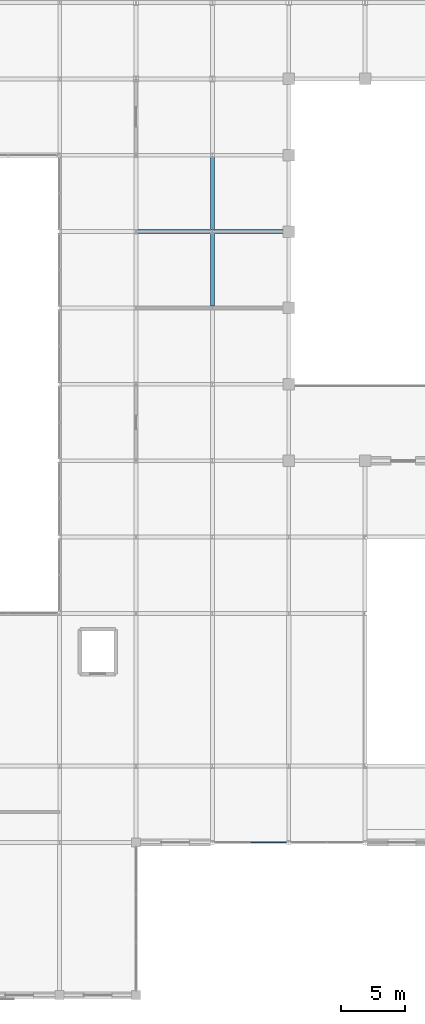
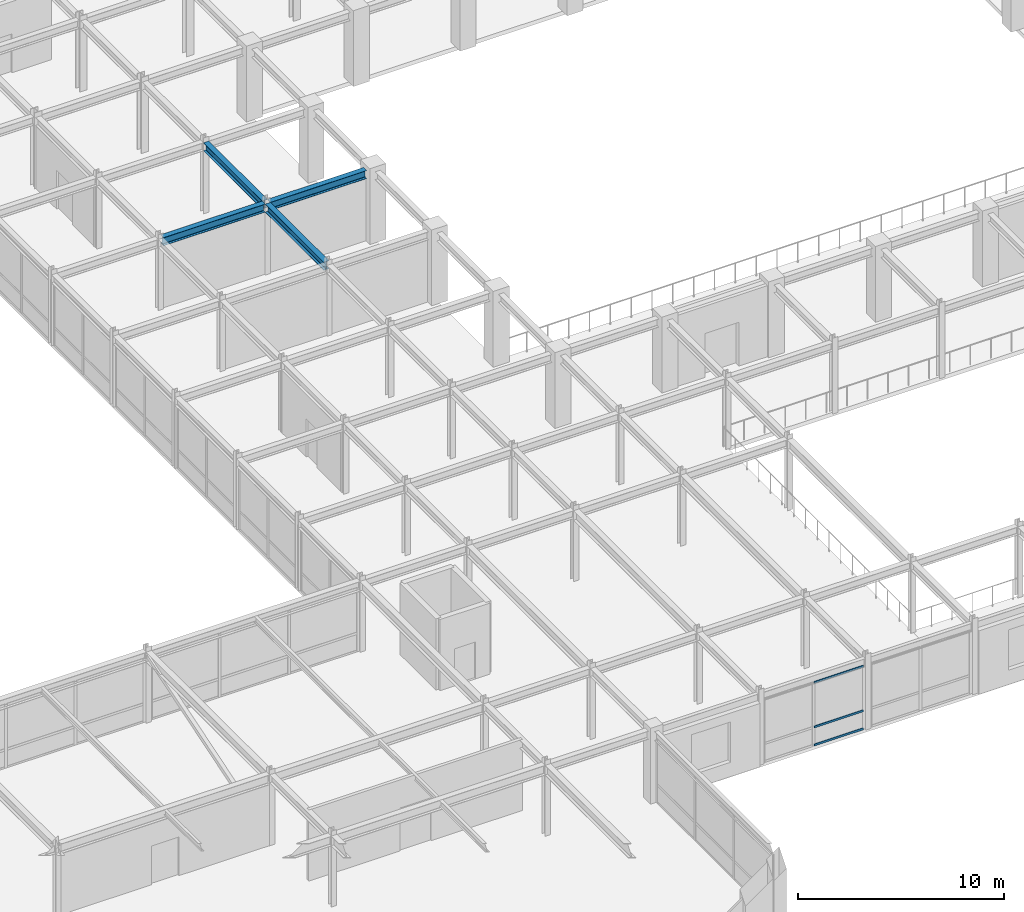
# One storey, part 51 of 108: 4 beams, 3 members, 1 element without a shape of its own.
"""IFC4 building model written with IfcOpenShell, lengths in metres."""

from ifc_helpers import new_model, si_unit, direction, frame, origin, origin_2d, place, context, subcontext, project, spatial, hollow_rectangle, i_section, extrude, material, layer, layer_set, material_profile, profile_set, type_object, element, aggregate, save


model = new_model("IFC4")

# Units and contexts
model_context = context("Model", 3, precision=1e-05, world=origin(), true_north=direction((0.0, 1.0)))
body_context = subcontext(model_context, "Body", "Model", "MODEL_VIEW")
ifc_project = project(units=[si_unit("LENGTHUNIT", "METRE"), si_unit("AREAUNIT", "SQUARE_METRE"), si_unit("VOLUMEUNIT", "CUBIC_METRE"), si_unit("PLANEANGLEUNIT", "RADIAN"), si_unit("MASSUNIT", "GRAM", prefix="KILO")], contexts=[model_context])

# Site, building, storey
site_placement = place(None, origin())
site = spatial("IfcSite", under=ifc_project, at=site_placement, CompositionType="ELEMENT")
building_placement = place(site_placement, origin())
building = spatial("IfcBuilding", under=site, at=building_placement, Name="Zlatovratsky Civic Hall", CompositionType="ELEMENT")
storey_placement = place(building_placement, frame((0.0, 0.0, 12.0)))
storey = spatial("IfcBuildingStorey", under=building, at=storey_placement, Name="L03", CompositionType="ELEMENT", Elevation=12.0)

# Beams
ifc_material_1 = material(Name="Steel S355", Category="steel")
ifc_material_profile_1 = material_profile(ifc_material_1, i_section(OverallWidth=0.300048828125, OverallDepth=0.48193359375, WebThickness=0.010986328125, FlangeThickness=0.014892578125, FilletRadius=0.02392578125, at=origin_2d()), Name="50Sh1")
ifc_profile_set_1 = profile_set([ifc_material_profile_1], Name="Steel S355")
beam_type = type_object("IfcBeamType", Name="Beam_LibraryGirder_50Sh1", PredefinedType="BEAM", material=ifc_profile_set_1)
beam_1_placement = place(storey_placement, frame((54.1494140625, 60.0, 3.97900390625), z_axis=(1.0, 0.0, 0.0), x_axis=(0.0, 1.0, 0.0)))
element("IfcBeam", 1, at=beam_1_placement, inside=storey, type_object=beam_type, Name="BM-2598", PredefinedType="BEAM", context=body_context, shape_type="SweptSolid", body=[
    extrude(i_section(OverallWidth=0.300048828125, OverallDepth=0.48193359375, WebThickness=0.010986328125, FlangeThickness=0.014892578125, FilletRadius=0.02392578125, at=origin_2d()), origin(), (0.0, 0.0, 1.0), 5.701171875),
])
beam_2_placement = place(storey_placement, frame((60.1494140625, 60.0, 3.97900390625), z_axis=(1.0, 0.0, 0.0), x_axis=(0.0, 1.0, 0.0)))
element("IfcBeam", 2, at=beam_2_placement, inside=storey, type_object=beam_type, Name="BM-2599", PredefinedType="BEAM", context=body_context, shape_type="SweptSolid", body=[
    extrude(i_section(OverallWidth=0.300048828125, OverallDepth=0.48193359375, WebThickness=0.010986328125, FlangeThickness=0.014892578125, FilletRadius=0.02392578125, at=origin_2d()), origin(), (0.0, 0.0, 1.0), 5.400634765625),
])
for number, where, z_axis, x_axis, name in (
    (3, (60.0, 54.14794921875, 3.97900390625), (0.0, 1.0, 0.0), (-1.0, 0.0, 0.0), "BM-2906"),
    (4, (60.0, 60.14794921875, 3.97900390625), (0.0, 1.0, 0.0), (-1.0, 0.0, 0.0), "BM-2907"),
):
    element("IfcBeam", number, at=place(storey_placement, frame(where, z_axis=z_axis, x_axis=x_axis)), inside=storey, type_object=beam_type, Name=name, PredefinedType="BEAM", context=body_context, shape_type="SweptSolid", body=[
        extrude(i_section(OverallWidth=0.300048828125, OverallDepth=0.48193359375, WebThickness=0.010986328125, FlangeThickness=0.014892578125, FilletRadius=0.02392578125, at=origin_2d()), origin(), (0.0, 0.0, 1.0), 5.7041015625),
    ])

# Curtain wall, members
ifc_material_2 = material(Name="Anodised bronze aluminium", Category="aluminium")
ifc_layer = layer(ifc_material_2, 0.159912109375)
ifc_layer_set = layer_set([ifc_layer], Name="Anodised bronze aluminium")
curtain_wall_type = type_object("IfcCurtainWallType", Name="CurtainWall_Bronze_5700x3770_08", PredefinedType="NOTDEFINED", material=ifc_layer_set)
curtain_wall_placement = place(storey_placement, origin())
curtain_wall = element("IfcCurtainWall", 5, at=curtain_wall_placement, inside=storey, type_object=curtain_wall_type, Name="CW-047", PredefinedType="NOTDEFINED")
ifc_material_profile_2 = material_profile(ifc_material_2, hollow_rectangle(XDim=0.06005859375, YDim=0.1201171875, WallThickness=0.00390625, at=origin_2d()), Name="ALU 60x120x4")
ifc_profile_set_2 = profile_set([ifc_material_profile_2], Name="Anodised bronze aluminium")
member_type = type_object("IfcMemberType", Name="CW_Transom_60x120", PredefinedType="USERDEFINED", material=ifc_profile_set_2)
member_1_placement = place(storey_placement, frame((63.030029296875, 12.0, 0.030029296875), z_axis=(1.0, 0.0, 0.0), x_axis=(0.0, 1.0, 0.0)))
member_1 = element("IfcMember", 6, at=member_1_placement, type_object=member_type, Name="CW-08 transom 2.1", ObjectType="TRANSOM", PredefinedType="USERDEFINED", context=body_context, shape_type="SweptSolid", body=[
    extrude(hollow_rectangle(XDim=0.06005859375, YDim=0.1201171875, WallThickness=0.00390625, at=origin_2d()), origin(), (0.0, 0.0, 1.0), 2.760498046875),
])
member_2_placement = place(storey_placement, frame((63.030029296875, 12.0, 1.10009765625), z_axis=(1.0, 0.0, 0.0), x_axis=(0.0, 1.0, 0.0)))
member_2 = element("IfcMember", 7, at=member_2_placement, type_object=member_type, Name="CW-08 transom 2.2", ObjectType="TRANSOM", PredefinedType="USERDEFINED", context=body_context, shape_type="SweptSolid", body=[
    extrude(hollow_rectangle(XDim=0.06005859375, YDim=0.1201171875, WallThickness=0.00390625, at=origin_2d()), origin(), (0.0, 0.0, 1.0), 2.760498046875),
])
member_3_placement = place(storey_placement, frame((63.030029296875, 12.0, 3.739990234375), z_axis=(1.0, 0.0, 0.0), x_axis=(0.0, 1.0, 0.0)))
member_3 = element("IfcMember", 8, at=member_3_placement, type_object=member_type, Name="CW-08 transom 2.3", ObjectType="TRANSOM", PredefinedType="USERDEFINED", context=body_context, shape_type="SweptSolid", body=[
    extrude(hollow_rectangle(XDim=0.06005859375, YDim=0.1201171875, WallThickness=0.00390625, at=origin_2d()), origin(), (0.0, 0.0, 1.0), 2.760498046875),
])
aggregate(curtain_wall, [member_1, member_2, member_3])

save(model, "model.ifc")
